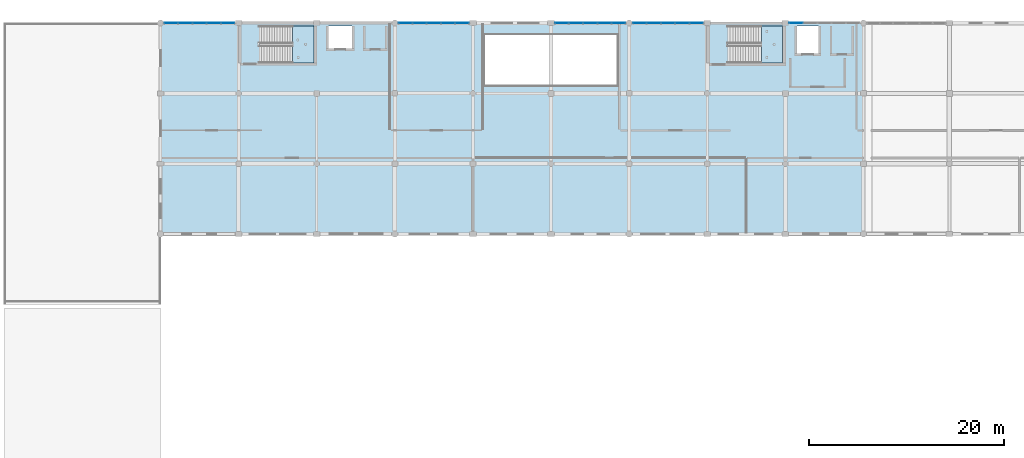
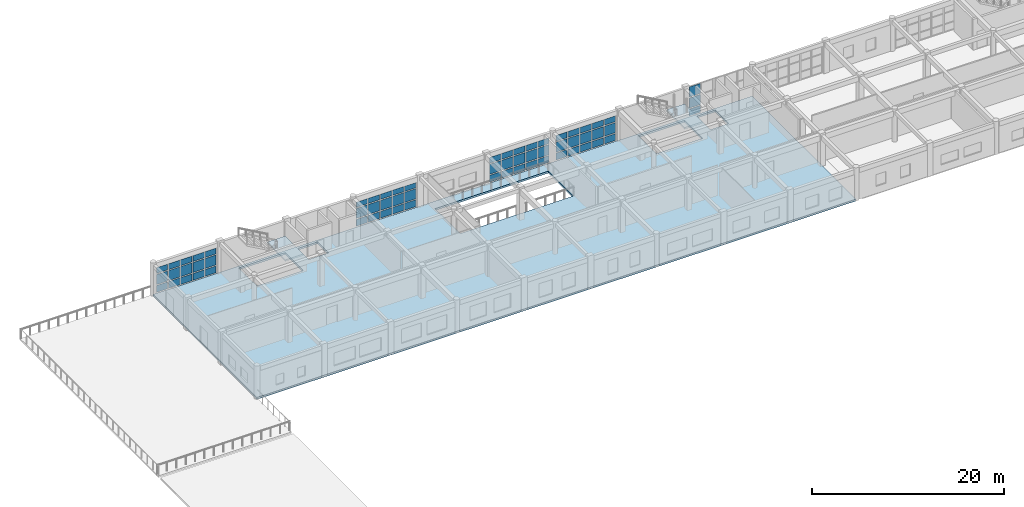
# One storey, part 35 of 53: 63 plates, 3 slabs, 7 elements without a shape of their own.
"""IFC4 building model written with IfcOpenShell, lengths in metres."""

from ifc_helpers import new_model, si_unit, direction, frame, origin, origin_2d, place, context, subcontext, project, spatial, polyline, rectangle, outline, extrude, material, layer, layer_set, type_object, element, aggregate, save


model = new_model("IFC4")

# Units and contexts
model_context = context("Model", 3, precision=1e-05, world=origin(), true_north=direction((0.0, 1.0)))
body_context = subcontext(model_context, "Body", "Model", "MODEL_VIEW")
ifc_project = project(units=[si_unit("LENGTHUNIT", "METRE"), si_unit("AREAUNIT", "SQUARE_METRE"), si_unit("VOLUMEUNIT", "CUBIC_METRE"), si_unit("PLANEANGLEUNIT", "RADIAN"), si_unit("MASSUNIT", "GRAM", prefix="KILO")], contexts=[model_context])

# Site, building, storey
site_placement = place(None, origin())
site = spatial("IfcSite", under=ifc_project, at=site_placement, CompositionType="ELEMENT")
building_placement = place(site_placement, origin())
building = spatial("IfcBuilding", under=site, at=building_placement, Name="Kharva Crest Polytechnic", CompositionType="ELEMENT")
storey_placement = place(building_placement, frame((0.0, 0.0, 17.39990234375)))
storey = spatial("IfcBuildingStorey", under=building, at=storey_placement, Name="L04", CompositionType="ELEMENT", Elevation=17.39990234375)

# Curtain wall, plates
ifc_material_1 = material(Name="Tempered insulated glass", Category="glass")
curtain_wall_type = type_object("IfcCurtainWallType", Name="CW-SYS-STUDIO", PredefinedType="USERDEFINED", material=ifc_material_1)
curtain_wall_1_placement = place(storey_placement, origin())
curtain_wall_1 = element("IfcCurtainWall", 1, at=curtain_wall_1_placement, inside=storey, type_object=curtain_wall_type, Name="L04 Glazed Curtain Wall CW-177", ObjectType="CURTAIN WALL", PredefinedType="USERDEFINED")
ifc_layer_1 = layer(ifc_material_1, 0.02587890625, Name="Tempered insulated glass")
ifc_layer_set_1 = layer_set([ifc_layer_1], Name="Tempered insulated glass")
plate_type = type_object("IfcPlateType", Name="CWP-GLZ-26", PredefinedType="CURTAIN_PANEL", material=ifc_layer_set_1)
plate_1_placement = place(storey_placement, frame((113.097900390625, 122.0, 0.1201171875), z_axis=(0.0, 0.0, 1.0), x_axis=(-1.0, 0.0, 0.0)))
plate_1 = element("IfcPlate", 2, at=plate_1_placement, type_object=plate_type, Name="CW-177 panel 5.1", PredefinedType="CURTAIN_PANEL", context=body_context, shape_type="SweptSolid", body=[
    extrude(rectangle(XDim=1.345947265625, YDim=0.02587890625, at=origin_2d()), origin(), (0.0, 0.0, 1.0), 0.8701171875),
])
plate_2_placement = place(storey_placement, frame((113.097900390625, 122.0, 1.10986328125), z_axis=(0.0, 0.0, 1.0), x_axis=(-1.0, 0.0, 0.0)))
plate_2 = element("IfcPlate", 3, at=plate_2_placement, type_object=plate_type, Name="CW-177 panel 5.2", PredefinedType="CURTAIN_PANEL", context=body_context, shape_type="SweptSolid", body=[
    extrude(rectangle(XDim=1.345947265625, YDim=0.02587890625, at=origin_2d()), origin(), (0.0, 0.0, 1.0), 1.280029296875),
])
plate_3_placement = place(storey_placement, frame((113.097900390625, 122.0, 2.510009765625), z_axis=(0.0, 0.0, 1.0), x_axis=(-1.0, 0.0, 0.0)))
plate_3 = element("IfcPlate", 4, at=plate_3_placement, type_object=plate_type, Name="CW-177 panel 5.3", PredefinedType="CURTAIN_PANEL", context=body_context, shape_type="SweptSolid", body=[
    extrude(rectangle(XDim=1.345947265625, YDim=0.02587890625, at=origin_2d()), origin(), (0.0, 0.0, 1.0), 1.2900390625),
])
aggregate(curtain_wall_1, [plate_1, plate_2, plate_3])

curtain_wall_2_placement = place(storey_placement, origin())
curtain_wall_2 = element("IfcCurtainWall", 5, at=curtain_wall_2_placement, inside=storey, type_object=curtain_wall_type, Name="L04 Glazed Curtain Wall CW-178", ObjectType="CURTAIN WALL", PredefinedType="USERDEFINED")
plate_4_placement = place(storey_placement, frame((102.89306640625, 122.0, 0.1201171875), z_axis=(0.0, 0.0, 1.0), x_axis=(-1.0, 0.0, 0.0)))
plate_4 = element("IfcPlate", 6, at=plate_4_placement, type_object=plate_type, Name="CW-178 panel 1.1", PredefinedType="CURTAIN_PANEL", context=body_context, shape_type="SweptSolid", body=[
    extrude(rectangle(XDim=1.343994140625, YDim=0.02587890625, at=origin_2d()), origin(), (0.0, 0.0, 1.0), 0.8701171875),
])
plate_5_placement = place(storey_placement, frame((102.89306640625, 122.0, 1.10986328125), z_axis=(0.0, 0.0, 1.0), x_axis=(-1.0, 0.0, 0.0)))
plate_5 = element("IfcPlate", 7, at=plate_5_placement, type_object=plate_type, Name="CW-178 panel 1.2", PredefinedType="CURTAIN_PANEL", context=body_context, shape_type="SweptSolid", body=[
    extrude(rectangle(XDim=1.343994140625, YDim=0.02587890625, at=origin_2d()), origin(), (0.0, 0.0, 1.0), 1.280029296875),
])
plate_6_placement = place(storey_placement, frame((102.89306640625, 122.0, 2.51025390625), z_axis=(0.0, 0.0, 1.0), x_axis=(-1.0, 0.0, 0.0)))
plate_6 = element("IfcPlate", 8, at=plate_6_placement, type_object=plate_type, Name="CW-178 panel 1.3", PredefinedType="CURTAIN_PANEL", context=body_context, shape_type="SweptSolid", body=[
    extrude(rectangle(XDim=1.343994140625, YDim=0.02587890625, at=origin_2d()), origin(), (0.0, 0.0, 1.0), 0.739990234375),
])
plate_7_placement = place(storey_placement, frame((101.448974609375, 122.0, 0.1201171875), z_axis=(0.0, 0.0, 1.0), x_axis=(-1.0, 0.0, 0.0)))
plate_7 = element("IfcPlate", 9, at=plate_7_placement, type_object=plate_type, Name="CW-178 panel 2.1", PredefinedType="CURTAIN_PANEL", context=body_context, shape_type="SweptSolid", body=[
    extrude(rectangle(XDim=1.384033203125, YDim=0.02587890625, at=origin_2d()), origin(), (0.0, 0.0, 1.0), 0.8701171875),
])
plate_8_placement = place(storey_placement, frame((101.448974609375, 122.0, 1.10986328125), z_axis=(0.0, 0.0, 1.0), x_axis=(-1.0, 0.0, 0.0)))
plate_8 = element("IfcPlate", 10, at=plate_8_placement, type_object=plate_type, Name="CW-178 panel 2.2", PredefinedType="CURTAIN_PANEL", context=body_context, shape_type="SweptSolid", body=[
    extrude(rectangle(XDim=1.384033203125, YDim=0.02587890625, at=origin_2d()), origin(), (0.0, 0.0, 1.0), 1.280029296875),
])
plate_9_placement = place(storey_placement, frame((101.448974609375, 122.0, 2.51025390625), z_axis=(0.0, 0.0, 1.0), x_axis=(-1.0, 0.0, 0.0)))
plate_9 = element("IfcPlate", 11, at=plate_9_placement, type_object=plate_type, Name="CW-178 panel 2.3", PredefinedType="CURTAIN_PANEL", context=body_context, shape_type="SweptSolid", body=[
    extrude(rectangle(XDim=1.384033203125, YDim=0.02587890625, at=origin_2d()), origin(), (0.0, 0.0, 1.0), 0.739990234375),
])
plate_10_placement = place(storey_placement, frame((99.985107421875, 122.0, 0.1201171875), z_axis=(0.0, 0.0, 1.0), x_axis=(-1.0, 0.0, 0.0)))
plate_10 = element("IfcPlate", 12, at=plate_10_placement, type_object=plate_type, Name="CW-178 panel 3.1", PredefinedType="CURTAIN_PANEL", context=body_context, shape_type="SweptSolid", body=[
    extrude(rectangle(XDim=1.384033203125, YDim=0.02587890625, at=origin_2d()), origin(), (0.0, 0.0, 1.0), 0.8701171875),
])
plate_11_placement = place(storey_placement, frame((99.985107421875, 122.0, 1.10986328125), z_axis=(0.0, 0.0, 1.0), x_axis=(-1.0, 0.0, 0.0)))
plate_11 = element("IfcPlate", 13, at=plate_11_placement, type_object=plate_type, Name="CW-178 panel 3.2", PredefinedType="CURTAIN_PANEL", context=body_context, shape_type="SweptSolid", body=[
    extrude(rectangle(XDim=1.384033203125, YDim=0.02587890625, at=origin_2d()), origin(), (0.0, 0.0, 1.0), 1.280029296875),
])
plate_12_placement = place(storey_placement, frame((99.985107421875, 122.0, 2.51025390625), z_axis=(0.0, 0.0, 1.0), x_axis=(-1.0, 0.0, 0.0)))
plate_12 = element("IfcPlate", 14, at=plate_12_placement, type_object=plate_type, Name="CW-178 panel 3.3", PredefinedType="CURTAIN_PANEL", context=body_context, shape_type="SweptSolid", body=[
    extrude(rectangle(XDim=1.384033203125, YDim=0.02587890625, at=origin_2d()), origin(), (0.0, 0.0, 1.0), 0.739990234375),
])
plate_13_placement = place(storey_placement, frame((98.52099609375, 122.0, 0.1201171875), z_axis=(0.0, 0.0, 1.0), x_axis=(-1.0, 0.0, 0.0)))
plate_13 = element("IfcPlate", 15, at=plate_13_placement, type_object=plate_type, Name="CW-178 panel 4.1", PredefinedType="CURTAIN_PANEL", context=body_context, shape_type="SweptSolid", body=[
    extrude(rectangle(XDim=1.384033203125, YDim=0.02587890625, at=origin_2d()), origin(), (0.0, 0.0, 1.0), 0.8701171875),
])
plate_14_placement = place(storey_placement, frame((98.52099609375, 122.0, 1.10986328125), z_axis=(0.0, 0.0, 1.0), x_axis=(-1.0, 0.0, 0.0)))
plate_14 = element("IfcPlate", 16, at=plate_14_placement, type_object=plate_type, Name="CW-178 panel 4.2", PredefinedType="CURTAIN_PANEL", context=body_context, shape_type="SweptSolid", body=[
    extrude(rectangle(XDim=1.384033203125, YDim=0.02587890625, at=origin_2d()), origin(), (0.0, 0.0, 1.0), 1.280029296875),
])
plate_15_placement = place(storey_placement, frame((98.52099609375, 122.0, 2.51025390625), z_axis=(0.0, 0.0, 1.0), x_axis=(-1.0, 0.0, 0.0)))
plate_15 = element("IfcPlate", 17, at=plate_15_placement, type_object=plate_type, Name="CW-178 panel 4.3", PredefinedType="CURTAIN_PANEL", context=body_context, shape_type="SweptSolid", body=[
    extrude(rectangle(XDim=1.384033203125, YDim=0.02587890625, at=origin_2d()), origin(), (0.0, 0.0, 1.0), 0.739990234375),
])
plate_16_placement = place(storey_placement, frame((97.076904296875, 122.0, 0.1201171875), z_axis=(0.0, 0.0, 1.0), x_axis=(-1.0, 0.0, 0.0)))
plate_16 = element("IfcPlate", 18, at=plate_16_placement, type_object=plate_type, Name="CW-178 panel 5.1", PredefinedType="CURTAIN_PANEL", context=body_context, shape_type="SweptSolid", body=[
    extrude(rectangle(XDim=1.343994140625, YDim=0.02587890625, at=origin_2d()), origin(), (0.0, 0.0, 1.0), 0.8701171875),
])
plate_17_placement = place(storey_placement, frame((97.076904296875, 122.0, 1.10986328125), z_axis=(0.0, 0.0, 1.0), x_axis=(-1.0, 0.0, 0.0)))
plate_17 = element("IfcPlate", 19, at=plate_17_placement, type_object=plate_type, Name="CW-178 panel 5.2", PredefinedType="CURTAIN_PANEL", context=body_context, shape_type="SweptSolid", body=[
    extrude(rectangle(XDim=1.343994140625, YDim=0.02587890625, at=origin_2d()), origin(), (0.0, 0.0, 1.0), 1.280029296875),
])
plate_18_placement = place(storey_placement, frame((97.076904296875, 122.0, 2.51025390625), z_axis=(0.0, 0.0, 1.0), x_axis=(-1.0, 0.0, 0.0)))
plate_18 = element("IfcPlate", 20, at=plate_18_placement, type_object=plate_type, Name="CW-178 panel 5.3", PredefinedType="CURTAIN_PANEL", context=body_context, shape_type="SweptSolid", body=[
    extrude(rectangle(XDim=1.343994140625, YDim=0.02587890625, at=origin_2d()), origin(), (0.0, 0.0, 1.0), 0.739990234375),
])
aggregate(curtain_wall_2, [plate_4, plate_5, plate_6, plate_7, plate_8, plate_9, plate_10, plate_11, plate_12, plate_13, plate_14, plate_15, plate_16, plate_17, plate_18])

curtain_wall_3_placement = place(storey_placement, origin())
curtain_wall_3 = element("IfcCurtainWall", 21, at=curtain_wall_3_placement, inside=storey, type_object=curtain_wall_type, Name="L04 Glazed Curtain Wall CW-179", ObjectType="CURTAIN WALL", PredefinedType="USERDEFINED")
plate_19_placement = place(storey_placement, frame((94.922119140625, 122.0, 0.1201171875), z_axis=(0.0, 0.0, 1.0), x_axis=(-1.0, 0.0, 0.0)))
plate_19 = element("IfcPlate", 22, at=plate_19_placement, type_object=plate_type, Name="CW-179 panel 1.1", PredefinedType="CURTAIN_PANEL", context=body_context, shape_type="SweptSolid", body=[
    extrude(rectangle(XDim=1.345947265625, YDim=0.02587890625, at=origin_2d()), origin(), (0.0, 0.0, 1.0), 0.8701171875),
])
plate_20_placement = place(storey_placement, frame((94.922119140625, 122.0, 1.10986328125), z_axis=(0.0, 0.0, 1.0), x_axis=(-1.0, 0.0, 0.0)))
plate_20 = element("IfcPlate", 23, at=plate_20_placement, type_object=plate_type, Name="CW-179 panel 1.2", PredefinedType="CURTAIN_PANEL", context=body_context, shape_type="SweptSolid", body=[
    extrude(rectangle(XDim=1.345947265625, YDim=0.02587890625, at=origin_2d()), origin(), (0.0, 0.0, 1.0), 1.280029296875),
])
plate_21_placement = place(storey_placement, frame((94.922119140625, 122.0, 2.51025390625), z_axis=(0.0, 0.0, 1.0), x_axis=(-1.0, 0.0, 0.0)))
plate_21 = element("IfcPlate", 24, at=plate_21_placement, type_object=plate_type, Name="CW-179 panel 1.3", PredefinedType="CURTAIN_PANEL", context=body_context, shape_type="SweptSolid", body=[
    extrude(rectangle(XDim=1.345947265625, YDim=0.02587890625, at=origin_2d()), origin(), (0.0, 0.0, 1.0), 0.739990234375),
])
plate_22_placement = place(storey_placement, frame((93.47607421875, 122.0, 0.1201171875), z_axis=(0.0, 0.0, 1.0), x_axis=(-1.0, 0.0, 0.0)))
plate_22 = element("IfcPlate", 25, at=plate_22_placement, type_object=plate_type, Name="CW-179 panel 2.1", PredefinedType="CURTAIN_PANEL", context=body_context, shape_type="SweptSolid", body=[
    extrude(rectangle(XDim=1.385986328125, YDim=0.02587890625, at=origin_2d()), origin(), (0.0, 0.0, 1.0), 0.8701171875),
])
plate_23_placement = place(storey_placement, frame((93.47607421875, 122.0, 1.10986328125), z_axis=(0.0, 0.0, 1.0), x_axis=(-1.0, 0.0, 0.0)))
plate_23 = element("IfcPlate", 26, at=plate_23_placement, type_object=plate_type, Name="CW-179 panel 2.2", PredefinedType="CURTAIN_PANEL", context=body_context, shape_type="SweptSolid", body=[
    extrude(rectangle(XDim=1.385986328125, YDim=0.02587890625, at=origin_2d()), origin(), (0.0, 0.0, 1.0), 1.280029296875),
])
plate_24_placement = place(storey_placement, frame((93.47607421875, 122.0, 2.51025390625), z_axis=(0.0, 0.0, 1.0), x_axis=(-1.0, 0.0, 0.0)))
plate_24 = element("IfcPlate", 27, at=plate_24_placement, type_object=plate_type, Name="CW-179 panel 2.3", PredefinedType="CURTAIN_PANEL", context=body_context, shape_type="SweptSolid", body=[
    extrude(rectangle(XDim=1.385986328125, YDim=0.02587890625, at=origin_2d()), origin(), (0.0, 0.0, 1.0), 0.739990234375),
])
plate_25_placement = place(storey_placement, frame((92.010009765625, 122.0, 0.1201171875), z_axis=(0.0, 0.0, 1.0), x_axis=(-1.0, 0.0, 0.0)))
plate_25 = element("IfcPlate", 28, at=plate_25_placement, type_object=plate_type, Name="CW-179 panel 3.1", PredefinedType="CURTAIN_PANEL", context=body_context, shape_type="SweptSolid", body=[
    extrude(rectangle(XDim=1.385986328125, YDim=0.02587890625, at=origin_2d()), origin(), (0.0, 0.0, 1.0), 0.8701171875),
])
plate_26_placement = place(storey_placement, frame((92.010009765625, 122.0, 1.10986328125), z_axis=(0.0, 0.0, 1.0), x_axis=(-1.0, 0.0, 0.0)))
plate_26 = element("IfcPlate", 29, at=plate_26_placement, type_object=plate_type, Name="CW-179 panel 3.2", PredefinedType="CURTAIN_PANEL", context=body_context, shape_type="SweptSolid", body=[
    extrude(rectangle(XDim=1.385986328125, YDim=0.02587890625, at=origin_2d()), origin(), (0.0, 0.0, 1.0), 1.280029296875),
])
plate_27_placement = place(storey_placement, frame((92.010009765625, 122.0, 2.51025390625), z_axis=(0.0, 0.0, 1.0), x_axis=(-1.0, 0.0, 0.0)))
plate_27 = element("IfcPlate", 30, at=plate_27_placement, type_object=plate_type, Name="CW-179 panel 3.3", PredefinedType="CURTAIN_PANEL", context=body_context, shape_type="SweptSolid", body=[
    extrude(rectangle(XDim=1.385986328125, YDim=0.02587890625, at=origin_2d()), origin(), (0.0, 0.0, 1.0), 0.739990234375),
])
plate_28_placement = place(storey_placement, frame((90.5439453125, 122.0, 0.1201171875), z_axis=(0.0, 0.0, 1.0), x_axis=(-1.0, 0.0, 0.0)))
plate_28 = element("IfcPlate", 31, at=plate_28_placement, type_object=plate_type, Name="CW-179 panel 4.1", PredefinedType="CURTAIN_PANEL", context=body_context, shape_type="SweptSolid", body=[
    extrude(rectangle(XDim=1.385986328125, YDim=0.02587890625, at=origin_2d()), origin(), (0.0, 0.0, 1.0), 0.8701171875),
])
plate_29_placement = place(storey_placement, frame((90.5439453125, 122.0, 1.10986328125), z_axis=(0.0, 0.0, 1.0), x_axis=(-1.0, 0.0, 0.0)))
plate_29 = element("IfcPlate", 32, at=plate_29_placement, type_object=plate_type, Name="CW-179 panel 4.2", PredefinedType="CURTAIN_PANEL", context=body_context, shape_type="SweptSolid", body=[
    extrude(rectangle(XDim=1.385986328125, YDim=0.02587890625, at=origin_2d()), origin(), (0.0, 0.0, 1.0), 1.280029296875),
])
plate_30_placement = place(storey_placement, frame((90.5439453125, 122.0, 2.51025390625), z_axis=(0.0, 0.0, 1.0), x_axis=(-1.0, 0.0, 0.0)))
plate_30 = element("IfcPlate", 33, at=plate_30_placement, type_object=plate_type, Name="CW-179 panel 4.3", PredefinedType="CURTAIN_PANEL", context=body_context, shape_type="SweptSolid", body=[
    extrude(rectangle(XDim=1.385986328125, YDim=0.02587890625, at=origin_2d()), origin(), (0.0, 0.0, 1.0), 0.739990234375),
])
plate_31_placement = place(storey_placement, frame((89.097900390625, 122.0, 0.1201171875), z_axis=(0.0, 0.0, 1.0), x_axis=(-1.0, 0.0, 0.0)))
plate_31 = element("IfcPlate", 34, at=plate_31_placement, type_object=plate_type, Name="CW-179 panel 5.1", PredefinedType="CURTAIN_PANEL", context=body_context, shape_type="SweptSolid", body=[
    extrude(rectangle(XDim=1.345947265625, YDim=0.02587890625, at=origin_2d()), origin(), (0.0, 0.0, 1.0), 0.8701171875),
])
plate_32_placement = place(storey_placement, frame((89.097900390625, 122.0, 1.10986328125), z_axis=(0.0, 0.0, 1.0), x_axis=(-1.0, 0.0, 0.0)))
plate_32 = element("IfcPlate", 35, at=plate_32_placement, type_object=plate_type, Name="CW-179 panel 5.2", PredefinedType="CURTAIN_PANEL", context=body_context, shape_type="SweptSolid", body=[
    extrude(rectangle(XDim=1.345947265625, YDim=0.02587890625, at=origin_2d()), origin(), (0.0, 0.0, 1.0), 1.280029296875),
])
plate_33_placement = place(storey_placement, frame((89.097900390625, 122.0, 2.51025390625), z_axis=(0.0, 0.0, 1.0), x_axis=(-1.0, 0.0, 0.0)))
plate_33 = element("IfcPlate", 36, at=plate_33_placement, type_object=plate_type, Name="CW-179 panel 5.3", PredefinedType="CURTAIN_PANEL", context=body_context, shape_type="SweptSolid", body=[
    extrude(rectangle(XDim=1.345947265625, YDim=0.02587890625, at=origin_2d()), origin(), (0.0, 0.0, 1.0), 0.739990234375),
])
aggregate(curtain_wall_3, [plate_19, plate_20, plate_21, plate_22, plate_23, plate_24, plate_25, plate_26, plate_27, plate_28, plate_29, plate_30, plate_31, plate_32, plate_33])

curtain_wall_4_placement = place(storey_placement, origin())
curtain_wall_4 = element("IfcCurtainWall", 37, at=curtain_wall_4_placement, inside=storey, type_object=curtain_wall_type, Name="L04 Glazed Curtain Wall CW-180", ObjectType="CURTAIN WALL", PredefinedType="USERDEFINED")
plate_34_placement = place(storey_placement, frame((78.89306640625, 122.0, 0.1201171875), z_axis=(0.0, 0.0, 1.0), x_axis=(-1.0, 0.0, 0.0)))
plate_34 = element("IfcPlate", 38, at=plate_34_placement, type_object=plate_type, Name="CW-180 panel 1.1", PredefinedType="CURTAIN_PANEL", context=body_context, shape_type="SweptSolid", body=[
    extrude(rectangle(XDim=1.343994140625, YDim=0.02587890625, at=origin_2d()), origin(), (0.0, 0.0, 1.0), 0.8701171875),
])
plate_35_placement = place(storey_placement, frame((78.89306640625, 122.0, 1.10986328125), z_axis=(0.0, 0.0, 1.0), x_axis=(-1.0, 0.0, 0.0)))
plate_35 = element("IfcPlate", 39, at=plate_35_placement, type_object=plate_type, Name="CW-180 panel 1.2", PredefinedType="CURTAIN_PANEL", context=body_context, shape_type="SweptSolid", body=[
    extrude(rectangle(XDim=1.343994140625, YDim=0.02587890625, at=origin_2d()), origin(), (0.0, 0.0, 1.0), 1.280029296875),
])
plate_36_placement = place(storey_placement, frame((78.89306640625, 122.0, 2.51025390625), z_axis=(0.0, 0.0, 1.0), x_axis=(-1.0, 0.0, 0.0)))
plate_36 = element("IfcPlate", 40, at=plate_36_placement, type_object=plate_type, Name="CW-180 panel 1.3", PredefinedType="CURTAIN_PANEL", context=body_context, shape_type="SweptSolid", body=[
    extrude(rectangle(XDim=1.343994140625, YDim=0.02587890625, at=origin_2d()), origin(), (0.0, 0.0, 1.0), 0.659912109375),
])
plate_37_placement = place(storey_placement, frame((77.448974609375, 122.0, 0.1201171875), z_axis=(0.0, 0.0, 1.0), x_axis=(-1.0, 0.0, 0.0)))
plate_37 = element("IfcPlate", 41, at=plate_37_placement, type_object=plate_type, Name="CW-180 panel 2.1", PredefinedType="CURTAIN_PANEL", context=body_context, shape_type="SweptSolid", body=[
    extrude(rectangle(XDim=1.384033203125, YDim=0.02587890625, at=origin_2d()), origin(), (0.0, 0.0, 1.0), 0.8701171875),
])
plate_38_placement = place(storey_placement, frame((77.448974609375, 122.0, 1.10986328125), z_axis=(0.0, 0.0, 1.0), x_axis=(-1.0, 0.0, 0.0)))
plate_38 = element("IfcPlate", 42, at=plate_38_placement, type_object=plate_type, Name="CW-180 panel 2.2", PredefinedType="CURTAIN_PANEL", context=body_context, shape_type="SweptSolid", body=[
    extrude(rectangle(XDim=1.384033203125, YDim=0.02587890625, at=origin_2d()), origin(), (0.0, 0.0, 1.0), 1.280029296875),
])
plate_39_placement = place(storey_placement, frame((77.448974609375, 122.0, 2.51025390625), z_axis=(0.0, 0.0, 1.0), x_axis=(-1.0, 0.0, 0.0)))
plate_39 = element("IfcPlate", 43, at=plate_39_placement, type_object=plate_type, Name="CW-180 panel 2.3", PredefinedType="CURTAIN_PANEL", context=body_context, shape_type="SweptSolid", body=[
    extrude(rectangle(XDim=1.384033203125, YDim=0.02587890625, at=origin_2d()), origin(), (0.0, 0.0, 1.0), 0.659912109375),
])
plate_40_placement = place(storey_placement, frame((75.985107421875, 122.0, 0.1201171875), z_axis=(0.0, 0.0, 1.0), x_axis=(-1.0, 0.0, 0.0)))
plate_40 = element("IfcPlate", 44, at=plate_40_placement, type_object=plate_type, Name="CW-180 panel 3.1", PredefinedType="CURTAIN_PANEL", context=body_context, shape_type="SweptSolid", body=[
    extrude(rectangle(XDim=1.384033203125, YDim=0.02587890625, at=origin_2d()), origin(), (0.0, 0.0, 1.0), 0.8701171875),
])
plate_41_placement = place(storey_placement, frame((75.985107421875, 122.0, 1.10986328125), z_axis=(0.0, 0.0, 1.0), x_axis=(-1.0, 0.0, 0.0)))
plate_41 = element("IfcPlate", 45, at=plate_41_placement, type_object=plate_type, Name="CW-180 panel 3.2", PredefinedType="CURTAIN_PANEL", context=body_context, shape_type="SweptSolid", body=[
    extrude(rectangle(XDim=1.384033203125, YDim=0.02587890625, at=origin_2d()), origin(), (0.0, 0.0, 1.0), 1.280029296875),
])
plate_42_placement = place(storey_placement, frame((75.985107421875, 122.0, 2.51025390625), z_axis=(0.0, 0.0, 1.0), x_axis=(-1.0, 0.0, 0.0)))
plate_42 = element("IfcPlate", 46, at=plate_42_placement, type_object=plate_type, Name="CW-180 panel 3.3", PredefinedType="CURTAIN_PANEL", context=body_context, shape_type="SweptSolid", body=[
    extrude(rectangle(XDim=1.384033203125, YDim=0.02587890625, at=origin_2d()), origin(), (0.0, 0.0, 1.0), 0.659912109375),
])
plate_43_placement = place(storey_placement, frame((74.52099609375, 122.0, 0.1201171875), z_axis=(0.0, 0.0, 1.0), x_axis=(-1.0, 0.0, 0.0)))
plate_43 = element("IfcPlate", 47, at=plate_43_placement, type_object=plate_type, Name="CW-180 panel 4.1", PredefinedType="CURTAIN_PANEL", context=body_context, shape_type="SweptSolid", body=[
    extrude(rectangle(XDim=1.384033203125, YDim=0.02587890625, at=origin_2d()), origin(), (0.0, 0.0, 1.0), 0.8701171875),
])
plate_44_placement = place(storey_placement, frame((74.52099609375, 122.0, 1.10986328125), z_axis=(0.0, 0.0, 1.0), x_axis=(-1.0, 0.0, 0.0)))
plate_44 = element("IfcPlate", 48, at=plate_44_placement, type_object=plate_type, Name="CW-180 panel 4.2", PredefinedType="CURTAIN_PANEL", context=body_context, shape_type="SweptSolid", body=[
    extrude(rectangle(XDim=1.384033203125, YDim=0.02587890625, at=origin_2d()), origin(), (0.0, 0.0, 1.0), 1.280029296875),
])
plate_45_placement = place(storey_placement, frame((74.52099609375, 122.0, 2.51025390625), z_axis=(0.0, 0.0, 1.0), x_axis=(-1.0, 0.0, 0.0)))
plate_45 = element("IfcPlate", 49, at=plate_45_placement, type_object=plate_type, Name="CW-180 panel 4.3", PredefinedType="CURTAIN_PANEL", context=body_context, shape_type="SweptSolid", body=[
    extrude(rectangle(XDim=1.384033203125, YDim=0.02587890625, at=origin_2d()), origin(), (0.0, 0.0, 1.0), 0.659912109375),
])
plate_46_placement = place(storey_placement, frame((73.076904296875, 122.0, 0.1201171875), z_axis=(0.0, 0.0, 1.0), x_axis=(-1.0, 0.0, 0.0)))
plate_46 = element("IfcPlate", 50, at=plate_46_placement, type_object=plate_type, Name="CW-180 panel 5.1", PredefinedType="CURTAIN_PANEL", context=body_context, shape_type="SweptSolid", body=[
    extrude(rectangle(XDim=1.343994140625, YDim=0.02587890625, at=origin_2d()), origin(), (0.0, 0.0, 1.0), 0.8701171875),
])
plate_47_placement = place(storey_placement, frame((73.076904296875, 122.0, 1.10986328125), z_axis=(0.0, 0.0, 1.0), x_axis=(-1.0, 0.0, 0.0)))
plate_47 = element("IfcPlate", 51, at=plate_47_placement, type_object=plate_type, Name="CW-180 panel 5.2", PredefinedType="CURTAIN_PANEL", context=body_context, shape_type="SweptSolid", body=[
    extrude(rectangle(XDim=1.343994140625, YDim=0.02587890625, at=origin_2d()), origin(), (0.0, 0.0, 1.0), 1.280029296875),
])
plate_48_placement = place(storey_placement, frame((73.076904296875, 122.0, 2.51025390625), z_axis=(0.0, 0.0, 1.0), x_axis=(-1.0, 0.0, 0.0)))
plate_48 = element("IfcPlate", 52, at=plate_48_placement, type_object=plate_type, Name="CW-180 panel 5.3", PredefinedType="CURTAIN_PANEL", context=body_context, shape_type="SweptSolid", body=[
    extrude(rectangle(XDim=1.343994140625, YDim=0.02587890625, at=origin_2d()), origin(), (0.0, 0.0, 1.0), 0.659912109375),
])
aggregate(curtain_wall_4, [plate_34, plate_35, plate_36, plate_37, plate_38, plate_39, plate_40, plate_41, plate_42, plate_43, plate_44, plate_45, plate_46, plate_47, plate_48])

curtain_wall_5_placement = place(storey_placement, origin())
curtain_wall_5 = element("IfcCurtainWall", 53, at=curtain_wall_5_placement, inside=storey, type_object=curtain_wall_type, Name="L04 Glazed Curtain Wall CW-181", ObjectType="CURTAIN WALL", PredefinedType="USERDEFINED")
plate_49_placement = place(storey_placement, frame((54.89306640625, 122.0, 0.1201171875), z_axis=(0.0, 0.0, 1.0), x_axis=(-1.0, 0.0, 0.0)))
plate_49 = element("IfcPlate", 54, at=plate_49_placement, type_object=plate_type, Name="CW-181 panel 1.1", PredefinedType="CURTAIN_PANEL", context=body_context, shape_type="SweptSolid", body=[
    extrude(rectangle(XDim=1.343994140625, YDim=0.02587890625, at=origin_2d()), origin(), (0.0, 0.0, 1.0), 0.8701171875),
])
plate_50_placement = place(storey_placement, frame((54.89306640625, 122.0, 1.10986328125), z_axis=(0.0, 0.0, 1.0), x_axis=(-1.0, 0.0, 0.0)))
plate_50 = element("IfcPlate", 55, at=plate_50_placement, type_object=plate_type, Name="CW-181 panel 1.2", PredefinedType="CURTAIN_PANEL", context=body_context, shape_type="SweptSolid", body=[
    extrude(rectangle(XDim=1.343994140625, YDim=0.02587890625, at=origin_2d()), origin(), (0.0, 0.0, 1.0), 1.280029296875),
])
plate_51_placement = place(storey_placement, frame((54.89306640625, 122.0, 2.51025390625), z_axis=(0.0, 0.0, 1.0), x_axis=(-1.0, 0.0, 0.0)))
plate_51 = element("IfcPlate", 56, at=plate_51_placement, type_object=plate_type, Name="CW-181 panel 1.3", PredefinedType="CURTAIN_PANEL", context=body_context, shape_type="SweptSolid", body=[
    extrude(rectangle(XDim=1.343994140625, YDim=0.02587890625, at=origin_2d()), origin(), (0.0, 0.0, 1.0), 0.739990234375),
])
plate_52_placement = place(storey_placement, frame((53.448974609375, 122.0, 0.1201171875), z_axis=(0.0, 0.0, 1.0), x_axis=(-1.0, 0.0, 0.0)))
plate_52 = element("IfcPlate", 57, at=plate_52_placement, type_object=plate_type, Name="CW-181 panel 2.1", PredefinedType="CURTAIN_PANEL", context=body_context, shape_type="SweptSolid", body=[
    extrude(rectangle(XDim=1.384033203125, YDim=0.02587890625, at=origin_2d()), origin(), (0.0, 0.0, 1.0), 0.8701171875),
])
plate_53_placement = place(storey_placement, frame((53.448974609375, 122.0, 1.10986328125), z_axis=(0.0, 0.0, 1.0), x_axis=(-1.0, 0.0, 0.0)))
plate_53 = element("IfcPlate", 58, at=plate_53_placement, type_object=plate_type, Name="CW-181 panel 2.2", PredefinedType="CURTAIN_PANEL", context=body_context, shape_type="SweptSolid", body=[
    extrude(rectangle(XDim=1.384033203125, YDim=0.02587890625, at=origin_2d()), origin(), (0.0, 0.0, 1.0), 1.280029296875),
])
plate_54_placement = place(storey_placement, frame((53.448974609375, 122.0, 2.51025390625), z_axis=(0.0, 0.0, 1.0), x_axis=(-1.0, 0.0, 0.0)))
plate_54 = element("IfcPlate", 59, at=plate_54_placement, type_object=plate_type, Name="CW-181 panel 2.3", PredefinedType="CURTAIN_PANEL", context=body_context, shape_type="SweptSolid", body=[
    extrude(rectangle(XDim=1.384033203125, YDim=0.02587890625, at=origin_2d()), origin(), (0.0, 0.0, 1.0), 0.739990234375),
])
plate_55_placement = place(storey_placement, frame((51.985107421875, 122.0, 0.1201171875), z_axis=(0.0, 0.0, 1.0), x_axis=(-1.0, 0.0, 0.0)))
plate_55 = element("IfcPlate", 60, at=plate_55_placement, type_object=plate_type, Name="CW-181 panel 3.1", PredefinedType="CURTAIN_PANEL", context=body_context, shape_type="SweptSolid", body=[
    extrude(rectangle(XDim=1.384033203125, YDim=0.02587890625, at=origin_2d()), origin(), (0.0, 0.0, 1.0), 0.8701171875),
])
plate_56_placement = place(storey_placement, frame((51.985107421875, 122.0, 1.10986328125), z_axis=(0.0, 0.0, 1.0), x_axis=(-1.0, 0.0, 0.0)))
plate_56 = element("IfcPlate", 61, at=plate_56_placement, type_object=plate_type, Name="CW-181 panel 3.2", PredefinedType="CURTAIN_PANEL", context=body_context, shape_type="SweptSolid", body=[
    extrude(rectangle(XDim=1.384033203125, YDim=0.02587890625, at=origin_2d()), origin(), (0.0, 0.0, 1.0), 1.280029296875),
])
plate_57_placement = place(storey_placement, frame((51.985107421875, 122.0, 2.51025390625), z_axis=(0.0, 0.0, 1.0), x_axis=(-1.0, 0.0, 0.0)))
plate_57 = element("IfcPlate", 62, at=plate_57_placement, type_object=plate_type, Name="CW-181 panel 3.3", PredefinedType="CURTAIN_PANEL", context=body_context, shape_type="SweptSolid", body=[
    extrude(rectangle(XDim=1.384033203125, YDim=0.02587890625, at=origin_2d()), origin(), (0.0, 0.0, 1.0), 0.739990234375),
])
plate_58_placement = place(storey_placement, frame((50.52099609375, 122.0, 0.1201171875), z_axis=(0.0, 0.0, 1.0), x_axis=(-1.0, 0.0, 0.0)))
plate_58 = element("IfcPlate", 63, at=plate_58_placement, type_object=plate_type, Name="CW-181 panel 4.1", PredefinedType="CURTAIN_PANEL", context=body_context, shape_type="SweptSolid", body=[
    extrude(rectangle(XDim=1.384033203125, YDim=0.02587890625, at=origin_2d()), origin(), (0.0, 0.0, 1.0), 0.8701171875),
])
plate_59_placement = place(storey_placement, frame((50.52099609375, 122.0, 1.10986328125), z_axis=(0.0, 0.0, 1.0), x_axis=(-1.0, 0.0, 0.0)))
plate_59 = element("IfcPlate", 64, at=plate_59_placement, type_object=plate_type, Name="CW-181 panel 4.2", PredefinedType="CURTAIN_PANEL", context=body_context, shape_type="SweptSolid", body=[
    extrude(rectangle(XDim=1.384033203125, YDim=0.02587890625, at=origin_2d()), origin(), (0.0, 0.0, 1.0), 1.280029296875),
])
plate_60_placement = place(storey_placement, frame((50.52099609375, 122.0, 2.51025390625), z_axis=(0.0, 0.0, 1.0), x_axis=(-1.0, 0.0, 0.0)))
plate_60 = element("IfcPlate", 65, at=plate_60_placement, type_object=plate_type, Name="CW-181 panel 4.3", PredefinedType="CURTAIN_PANEL", context=body_context, shape_type="SweptSolid", body=[
    extrude(rectangle(XDim=1.384033203125, YDim=0.02587890625, at=origin_2d()), origin(), (0.0, 0.0, 1.0), 0.739990234375),
])
plate_61_placement = place(storey_placement, frame((49.076904296875, 122.0, 0.1201171875), z_axis=(0.0, 0.0, 1.0), x_axis=(-1.0, 0.0, 0.0)))
plate_61 = element("IfcPlate", 66, at=plate_61_placement, type_object=plate_type, Name="CW-181 panel 5.1", PredefinedType="CURTAIN_PANEL", context=body_context, shape_type="SweptSolid", body=[
    extrude(rectangle(XDim=1.343994140625, YDim=0.02587890625, at=origin_2d()), origin(), (0.0, 0.0, 1.0), 0.8701171875),
])
plate_62_placement = place(storey_placement, frame((49.076904296875, 122.0, 1.10986328125), z_axis=(0.0, 0.0, 1.0), x_axis=(-1.0, 0.0, 0.0)))
plate_62 = element("IfcPlate", 67, at=plate_62_placement, type_object=plate_type, Name="CW-181 panel 5.2", PredefinedType="CURTAIN_PANEL", context=body_context, shape_type="SweptSolid", body=[
    extrude(rectangle(XDim=1.343994140625, YDim=0.02587890625, at=origin_2d()), origin(), (0.0, 0.0, 1.0), 1.280029296875),
])
plate_63_placement = place(storey_placement, frame((49.076904296875, 122.0, 2.51025390625), z_axis=(0.0, 0.0, 1.0), x_axis=(-1.0, 0.0, 0.0)))
plate_63 = element("IfcPlate", 68, at=plate_63_placement, type_object=plate_type, Name="CW-181 panel 5.3", PredefinedType="CURTAIN_PANEL", context=body_context, shape_type="SweptSolid", body=[
    extrude(rectangle(XDim=1.343994140625, YDim=0.02587890625, at=origin_2d()), origin(), (0.0, 0.0, 1.0), 0.739990234375),
])
aggregate(curtain_wall_5, [plate_49, plate_50, plate_51, plate_52, plate_53, plate_54, plate_55, plate_56, plate_57, plate_58, plate_59, plate_60, plate_61, plate_62, plate_63])

# Slab
ifc_material_2 = material(Name="Concrete C35/45", Category="concrete")
ifc_layer_2 = layer(ifc_material_2, 0.239990234375, Name="Concrete C35/45")
ifc_layer_set_2 = layer_set([ifc_layer_2], Name="Concrete C35/45")
slab_type_1 = type_object("IfcSlabType", Name="SLB-FLR-240", PredefinedType="FLOOR", material=ifc_layer_set_2)
slab_1_placement = place(storey_placement, frame((0.0, 0.0, -0.239990234375)))
element("IfcSlab", 69, at=slab_1_placement, inside=storey, type_object=slab_type_1, Name="L04 Structural Slab N_STUDIO-W", PredefinedType="FLOOR", context=body_context, shape_type="SweptSolid", body=[
    extrude(outline(polyline([(48.0, 100.39990234375), (120.0, 100.39990234375), (120.0, 122.0), (48.0, 122.0), (48.0, 100.39990234375)]), holes=[polyline([(58.1298828125, 117.93994140625), (63.699951171875, 117.93994140625), (63.699951171875, 121.699951171875), (58.1298828125, 121.699951171875), (58.1298828125, 117.93994140625)]), polyline([(65.199951171875, 119.39990234375), (67.60009765625, 119.39990234375), (67.60009765625, 121.699951171875), (65.199951171875, 121.699951171875), (65.199951171875, 119.39990234375)]), polyline([(106.1298828125, 117.93994140625), (111.699951171875, 117.93994140625), (111.699951171875, 121.699951171875), (106.1298828125, 121.699951171875), (106.1298828125, 117.93994140625)]), polyline([(113.199951171875, 118.89990234375), (115.39990234375, 118.89990234375), (115.39990234375, 121.699951171875), (113.199951171875, 121.699951171875), (113.199951171875, 118.89990234375)]), polyline([(81.199951171875, 115.60009765625), (94.800048828125, 115.60009765625), (94.800048828125, 120.800048828125), (81.199951171875, 120.800048828125), (81.199951171875, 115.60009765625)])]), origin(), (0.0, 0.0, 1.0), 0.239990234375),
])

# Stair, slab
stair_type = type_object("IfcStairType", Name="STR-DOGLEG-1780", PredefinedType="TWO_STRAIGHT_RUN_STAIR", material=ifc_material_2)
stair_1_placement = place(storey_placement, origin())
stair_1 = element("IfcStair", 70, at=stair_1_placement, inside=storey, type_object=stair_type, Name="L04 North-West Lab Core C3", PredefinedType="TWO_STRAIGHT_RUN_STAIR")
ifc_layer_3 = layer(ifc_material_2, 0.199951171875, Name="Concrete C35/45")
ifc_layer_set_3 = layer_set([ifc_layer_3], Name="Concrete C35/45")
slab_type_2 = type_object("IfcSlabType", Name="SLB-LAND-200", PredefinedType="LANDING", material=ifc_layer_set_3)
slab_2_placement = place(storey_placement, frame((0.0, 0.0, 1.900146484375)))
slab_2 = element("IfcSlab", 71, at=slab_2_placement, type_object=slab_type_2, Name="ST-03 landing 1", PredefinedType="LANDING", context=body_context, shape_type="SweptSolid", body=[
    extrude(outline(polyline([(61.534912109375, 117.93994140625), (63.699951171875, 117.93994140625), (63.699951171875, 121.699951171875), (61.534912109375, 121.699951171875), (61.534912109375, 117.93994140625)])), origin(), (0.0, 0.0, 1.0), 0.199951171875),
])
aggregate(stair_1, [slab_2])

stair_2_placement = place(storey_placement, origin())
stair_2 = element("IfcStair", 72, at=stair_2_placement, inside=storey, type_object=stair_type, Name="L04 North Crest Firefighting Core C4", PredefinedType="TWO_STRAIGHT_RUN_STAIR")
slab_3_placement = place(storey_placement, frame((0.0, 0.0, 1.900146484375)))
slab_3 = element("IfcSlab", 73, at=slab_3_placement, type_object=slab_type_2, Name="ST-04 landing 1", PredefinedType="LANDING", context=body_context, shape_type="SweptSolid", body=[
    extrude(outline(polyline([(109.534912109375, 117.93994140625), (111.699951171875, 117.93994140625), (111.699951171875, 121.699951171875), (109.534912109375, 121.699951171875), (109.534912109375, 117.93994140625)])), origin(), (0.0, 0.0, 1.0), 0.199951171875),
])
aggregate(stair_2, [slab_3])

save(model, "model.ifc")
